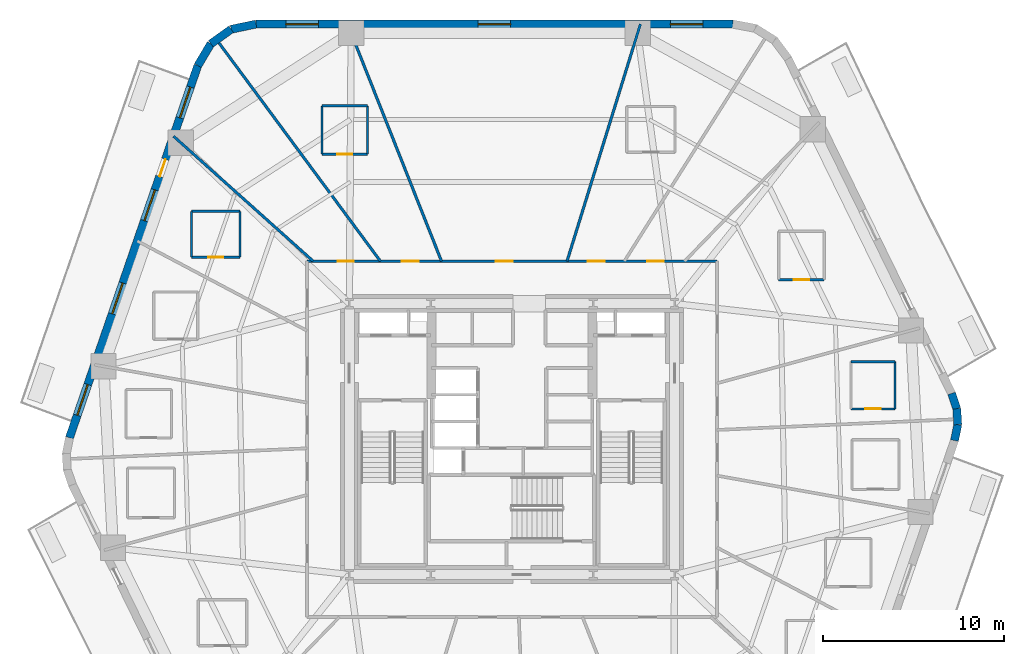
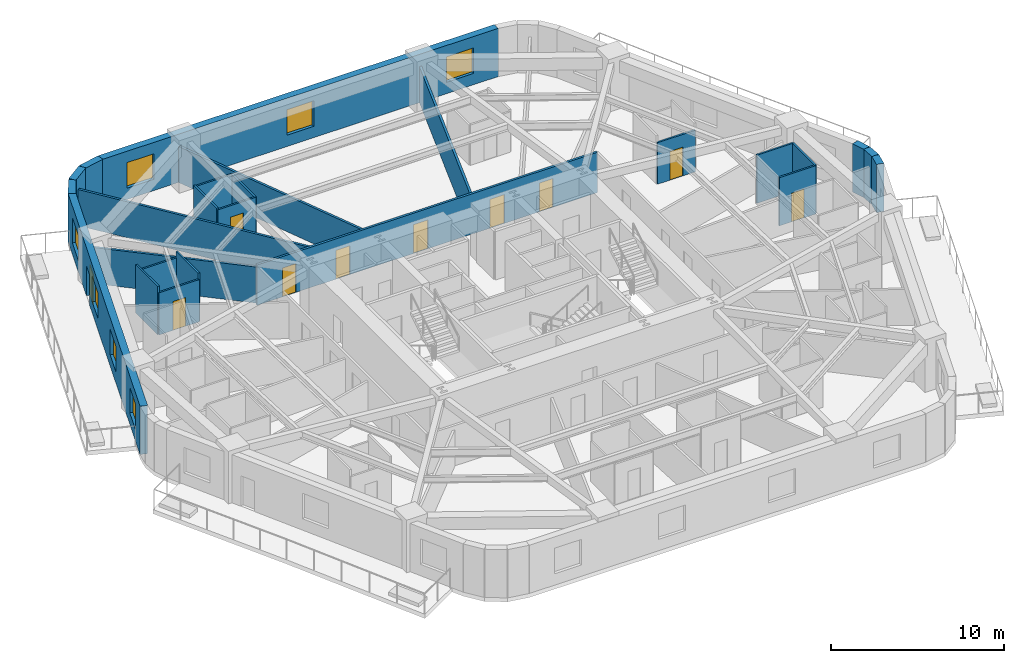
# One storey, part 6 of 10: 25 walls, 10 doors, 7 windows, 17 openings.
"""IFC4 building model written with IfcOpenShell, lengths in metres."""

from ifc_helpers import new_model, si_unit, direction, frame, frame_2d, origin, place, context, subcontext, project, spatial, rectangle, extrude, material, layer, layer_set, type_object, element, fill, save


model = new_model("IFC4")

# Units and contexts
model_context = context("Model", 3, precision=1e-05, world=origin(), true_north=direction((0.0, 1.0)))
body_context = subcontext(model_context, "Body", "Model", "MODEL_VIEW")
ifc_project = project(units=[si_unit("LENGTHUNIT", "METRE"), si_unit("AREAUNIT", "SQUARE_METRE"), si_unit("VOLUMEUNIT", "CUBIC_METRE"), si_unit("PLANEANGLEUNIT", "RADIAN"), si_unit("MASSUNIT", "GRAM", prefix="KILO")], contexts=[model_context])

# Site, building, storey
site_placement = place(None, origin())
site = spatial("IfcSite", under=ifc_project, at=site_placement, CompositionType="ELEMENT")
building_placement = place(site_placement, origin())
building = spatial("IfcBuilding", under=site, at=building_placement, Name="Kilnhurst Terrace Hotel", CompositionType="ELEMENT")
storey_placement = place(building_placement, frame((0.0, 0.0, 49.0)))
storey = spatial("IfcBuildingStorey", under=building, at=storey_placement, Name="L10", CompositionType="ELEMENT", Elevation=49.0)

# Walls
ifc_material_1 = material(Name="Precast concrete C40/50", Category="concrete")
ifc_layer_1 = layer(ifc_material_1, 0.449951171875, Name="Precast concrete C40/50")
ifc_layer_set_1 = layer_set([ifc_layer_1], Name="Precast concrete C40/50")
wall_type_1 = type_object("IfcWallType", Name="WL-BRK-450", PredefinedType="SOLIDWALL", material=ifc_layer_set_1)
wall_1_placement = place(storey_placement, frame((24.49560546875, -0.07666015625, 0.0), z_axis=(0.0, 0.0, 1.0), x_axis=(0.199570594521, 0.979883451132, 0.0)))
element("IfcWall", 1, at=wall_1_placement, inside=storey, type_object=wall_type_1, Name="L10 Rounded Corner Brick Wall C3.1", PredefinedType="SOLIDWALL", context=body_context, shape_type="SweptSolid", body=[
    extrude(rectangle(XDim=0.896728515625, YDim=0.449951171875, at=frame_2d((0.4482421875, 0.0))), origin(), (0.0, 0.0, 1.0), 3.39990234375),
])
wall_2_placement = place(storey_placement, frame((24.674560546875, 0.802001953125, 0.0), z_axis=(0.0, 0.0, 1.0), x_axis=(-0.061188874166, 0.998126205286, 0.0)))
element("IfcWall", 2, at=wall_2_placement, inside=storey, type_object=wall_type_1, Name="L10 Rounded Corner Brick Wall C3.2", PredefinedType="SOLIDWALL", context=body_context, shape_type="SweptSolid", body=[
    extrude(rectangle(XDim=0.8818359375, YDim=0.449951171875, at=frame_2d((0.44091796875, 0.0))), origin(), (0.0, 0.0, 1.0), 3.39990234375),
])
wall_3_placement = place(storey_placement, frame((24.62060546875, 1.68212890625, 0.0), z_axis=(0.0, 0.0, 1.0), x_axis=(-0.317697451681, 0.948192137278, 0.0)))
element("IfcWall", 3, at=wall_3_placement, inside=storey, type_object=wall_type_1, Name="L10 Rounded Corner Brick Wall C3.3", PredefinedType="SOLIDWALL", context=body_context, shape_type="SweptSolid", body=[
    extrude(rectangle(XDim=0.896728515625, YDim=0.449951171875, at=frame_2d((0.4482421875, 0.0))), origin(), (0.0, 0.0, 1.0), 3.39990234375),
])
wall_4_placement = place(storey_placement, frame((-14.168212890625, 22.97509765625, 0.0), z_axis=(0.0, 0.0, 1.0), x_axis=(-0.978770371074, -0.204959900243, 0.0)))
element("IfcWall", 4, at=wall_4_placement, inside=storey, type_object=wall_type_1, Name="L10 Rounded Corner Brick Wall C5.1", PredefinedType="SOLIDWALL", context=body_context, shape_type="SweptSolid", body=[
    extrude(rectangle(XDim=1.405517578125, YDim=0.449951171875, at=frame_2d((0.70263671875, 0.0))), origin(), (0.0, 0.0, 1.0), 3.39990234375),
])
wall_5_placement = place(storey_placement, frame((-15.5439453125, 22.68701171875, 0.0), z_axis=(0.0, 0.0, 1.0), x_axis=(-0.814210854316, -0.580569276412, 0.0)))
element("IfcWall", 5, at=wall_5_placement, inside=storey, type_object=wall_type_1, Name="L10 Rounded Corner Brick Wall C5.2", PredefinedType="SOLIDWALL", context=body_context, shape_type="SweptSolid", body=[
    extrude(rectangle(XDim=1.38134765625, YDim=0.449951171875, at=frame_2d((0.690673828125, 0.0))), origin(), (0.0, 0.0, 1.0), 3.39990234375),
])
wall_6_placement = place(storey_placement, frame((-16.668701171875, 21.885009765625, 0.0), z_axis=(0.0, 0.0, 1.0), x_axis=(-0.512936712947, -0.858426425799, 0.0)))
element("IfcWall", 6, at=wall_6_placement, inside=storey, type_object=wall_type_1, Name="L10 Rounded Corner Brick Wall C5.3", PredefinedType="SOLIDWALL", context=body_context, shape_type="SweptSolid", body=[
    extrude(rectangle(XDim=1.405517578125, YDim=0.449951171875, at=frame_2d((0.70263671875, 0.0))), origin(), (0.0, 0.0, 1.0), 3.39990234375),
])

# Wall, openings, windows
wall_7_placement = place(storey_placement, frame((12.220947265625, 22.97509765625, 0.0), z_axis=(0.0, 0.0, 1.0), x_axis=(-1.0, 0.0, 0.0)))
wall_7 = element("IfcWall", 7, at=wall_7_placement, inside=storey, type_object=wall_type_1, Name="L10 Exterior Brick Facade Wall F4", PredefinedType="SOLIDWALL", context=body_context, shape_type="SweptSolid", body=[
    extrude(rectangle(XDim=26.38916015625, YDim=0.449951171875, at=frame_2d((13.194580078125, 0.0))), origin(), (0.0, 0.0, 1.0), 3.39990234375),
])
opening_1_placement = place(wall_7_placement, frame((1.653076171875, 0.0, 0.800048828125)))
opening_1 = element("IfcOpeningElement", 8, at=opening_1_placement, cuts=wall_7, Name="Opening W-01", PredefinedType="OPENING", context=body_context, shape_type="SweptSolid", body=[
    extrude(rectangle(XDim=1.800048828125, YDim=1.800048828125, at=frame_2d((0.89990234375, 0.89990234375))), frame((0.0, 0.23486328125, 0.0), z_axis=(0.0, -1.0, 0.0), x_axis=(1.0, 0.0, 0.0)), (0.0, 0.0, 1.0), 0.469970703125),
])
opening_2_placement = place(wall_7_placement, frame((12.2958984375, 0.0, 0.800048828125)))
opening_2 = element("IfcOpeningElement", 9, at=opening_2_placement, cuts=wall_7, Name="Opening W-01", PredefinedType="OPENING", context=body_context, shape_type="SweptSolid", body=[
    extrude(rectangle(XDim=1.800048828125, YDim=1.800048828125, at=frame_2d((0.89990234375, 0.89990234375))), frame((0.0, 0.23486328125, 0.0), z_axis=(0.0, -1.0, 0.0), x_axis=(1.0, 0.0, 0.0)), (0.0, 0.0, 1.0), 0.469970703125),
])
opening_3_placement = place(wall_7_placement, frame((22.93798828125, 0.0, 0.800048828125)))
opening_3 = element("IfcOpeningElement", 10, at=opening_3_placement, cuts=wall_7, Name="Opening W-01", PredefinedType="OPENING", context=body_context, shape_type="SweptSolid", body=[
    extrude(rectangle(XDim=1.800048828125, YDim=1.800048828125, at=frame_2d((0.89990234375, 0.89990234375))), frame((0.0, 0.23486328125, 0.0), z_axis=(0.0, -1.0, 0.0), x_axis=(1.0, 0.0, 0.0)), (0.0, 0.0, 1.0), 0.469970703125),
])
ifc_material_2 = material(Name="Thermally Broken Bronze Aluminium Alloy 6063-T6 and Low-E Glass", Category="aluminium")
window_type = type_object("IfcWindowType", Name="WIN-1800X1800", PartitioningType="SINGLE_PANEL", PredefinedType="WINDOW", material=ifc_material_2)
window_1_placement = place(opening_1_placement, origin())
window_1 = element("IfcWindow", 11, at=window_1_placement, inside=storey, type_object=window_type, Name="L10 Deep-Set Masonry Window F4.1", OverallHeight=1.800048828125, OverallWidth=1.800048828125, PartitioningType="SINGLE_PANEL", PredefinedType="WINDOW", context=body_context, shape_type="SweptSolid", body=[
    extrude(rectangle(XDim=1.800048828125, YDim=1.800048828125, at=frame_2d((0.89990234375, 0.89990234375))), frame((0.0, 0.030029296875, 0.0), z_axis=(0.0, -1.0, 0.0), x_axis=(1.0, 0.0, 0.0)), (0.0, 0.0, 1.0), 0.06005859375),
])
fill(opening_1, window_1)
window_2_placement = place(opening_2_placement, origin())
window_2 = element("IfcWindow", 12, at=window_2_placement, inside=storey, type_object=window_type, Name="L10 Deep-Set Masonry Window F4.2", OverallHeight=1.800048828125, OverallWidth=1.800048828125, PartitioningType="SINGLE_PANEL", PredefinedType="WINDOW", context=body_context, shape_type="SweptSolid", body=[
    extrude(rectangle(XDim=1.800048828125, YDim=1.800048828125, at=frame_2d((0.89990234375, 0.89990234375))), frame((0.0, 0.030029296875, 0.0), z_axis=(0.0, -1.0, 0.0), x_axis=(1.0, 0.0, 0.0)), (0.0, 0.0, 1.0), 0.06005859375),
])
fill(opening_2, window_2)
window_3_placement = place(opening_3_placement, origin())
window_3 = element("IfcWindow", 13, at=window_3_placement, inside=storey, type_object=window_type, Name="L10 Deep-Set Masonry Window F4.3", OverallHeight=1.800048828125, OverallWidth=1.800048828125, PartitioningType="SINGLE_PANEL", PredefinedType="WINDOW", context=body_context, shape_type="SweptSolid", body=[
    extrude(rectangle(XDim=1.800048828125, YDim=1.800048828125, at=frame_2d((0.89990234375, 0.89990234375))), frame((0.0, 0.030029296875, 0.0), z_axis=(0.0, -1.0, 0.0), x_axis=(1.0, 0.0, 0.0)), (0.0, 0.0, 1.0), 0.06005859375),
])
fill(opening_3, window_3)

# Wall, openings, door, windows
wall_8_placement = place(storey_placement, frame((-17.3896484375, 20.678466796875, 0.0), z_axis=(0.0, 0.0, 1.0), x_axis=(-0.326068018294, -0.945346310854, 0.0)))
wall_8 = element("IfcWall", 14, at=wall_8_placement, inside=storey, type_object=wall_type_1, Name="L10 Exterior Brick Facade Wall F5", PredefinedType="SOLIDWALL", context=body_context, shape_type="SweptSolid", body=[
    extrude(rectangle(XDim=21.79296875, YDim=0.449951171875, at=frame_2d((10.896484375, 0.0))), origin(), (0.0, 0.0, 1.0), 3.39990234375),
])
opening_4_placement = place(wall_8_placement, frame((5.492919921875, 0.0, 0.0)))
opening_4 = element("IfcOpeningElement", 15, at=opening_4_placement, cuts=wall_8, Name="Opening BD-1000", PredefinedType="OPENING", context=body_context, shape_type="SweptSolid", body=[
    extrude(rectangle(XDim=1.0, YDim=2.14990234375, at=frame_2d((0.5, 1.074951171875))), frame((0.0, 0.23486328125, 0.0), z_axis=(0.0, -1.0, 0.0), x_axis=(1.0, 0.0, 0.0)), (0.0, 0.0, 1.0), 0.469970703125),
])
opening_5_placement = place(wall_8_placement, frame((1.260009765625, 0.0, 0.800048828125)))
opening_5 = element("IfcOpeningElement", 16, at=opening_5_placement, cuts=wall_8, Name="Opening W-01", PredefinedType="OPENING", context=body_context, shape_type="SweptSolid", body=[
    extrude(rectangle(XDim=1.800048828125, YDim=1.800048828125, at=frame_2d((0.89990234375, 0.89990234375))), frame((0.0, 0.23486328125, 0.0), z_axis=(0.0, -1.0, 0.0), x_axis=(1.0, 0.0, 0.0)), (0.0, 0.0, 1.0), 0.469970703125),
])
opening_6_placement = place(wall_8_placement, frame((7.282958984375, 0.0, 0.800048828125)))
opening_6 = element("IfcOpeningElement", 17, at=opening_6_placement, cuts=wall_8, Name="Opening W-01", PredefinedType="OPENING", context=body_context, shape_type="SweptSolid", body=[
    extrude(rectangle(XDim=1.800048828125, YDim=1.800048828125, at=frame_2d((0.89990234375, 0.89990234375))), frame((0.0, 0.23486328125, 0.0), z_axis=(0.0, -1.0, 0.0), x_axis=(1.0, 0.0, 0.0)), (0.0, 0.0, 1.0), 0.469970703125),
])
opening_7_placement = place(wall_8_placement, frame((12.736083984375, 0.0, 0.800048828125)))
opening_7 = element("IfcOpeningElement", 18, at=opening_7_placement, cuts=wall_8, Name="Opening W-01", PredefinedType="OPENING", context=body_context, shape_type="SweptSolid", body=[
    extrude(rectangle(XDim=1.800048828125, YDim=1.800048828125, at=frame_2d((0.89990234375, 0.89990234375))), frame((0.0, 0.23486328125, 0.0), z_axis=(0.0, -1.0, 0.0), x_axis=(1.0, 0.0, 0.0)), (0.0, 0.0, 1.0), 0.469970703125),
])
opening_8_placement = place(wall_8_placement, frame((18.679931640625, 0.0, 0.800048828125)))
opening_8 = element("IfcOpeningElement", 19, at=opening_8_placement, cuts=wall_8, Name="Opening W-01", PredefinedType="OPENING", context=body_context, shape_type="SweptSolid", body=[
    extrude(rectangle(XDim=1.800048828125, YDim=1.800048828125, at=frame_2d((0.89990234375, 0.89990234375))), frame((0.0, 0.23486328125, 0.0), z_axis=(0.0, -1.0, 0.0), x_axis=(1.0, 0.0, 0.0)), (0.0, 0.0, 1.0), 0.469970703125),
])
ifc_material_3 = material(Name="Thermally Broken Bronze Aluminium Alloy 6063-T6 and Laminated Glass", Category="aluminium")
door_type_1 = type_object("IfcDoorType", Name="DR-EXT-BAL-1000", OperationType="NOTDEFINED", PredefinedType="DOOR", material=ifc_material_3)
door_1_placement = place(opening_4_placement, origin())
door_1 = element("IfcDoor", 20, at=door_1_placement, inside=storey, type_object=door_type_1, Name="L10 Planted Balcony Door BAL-L2A", OperationType="SINGLE_SWING_LEFT", OverallHeight=2.14990234375, OverallWidth=1.0, PredefinedType="DOOR", context=body_context, shape_type="SweptSolid", body=[
    extrude(rectangle(XDim=1.0, YDim=2.14990234375, at=frame_2d((0.5, 1.074951171875))), frame((0.0, 0.02490234375, 0.0), z_axis=(0.0, -1.0, 0.0), x_axis=(1.0, 0.0, 0.0)), (0.0, 0.0, 1.0), 0.050048828125),
])
fill(opening_4, door_1)
window_4_placement = place(opening_5_placement, origin())
window_4 = element("IfcWindow", 21, at=window_4_placement, inside=storey, type_object=window_type, Name="L10 Deep-Set Masonry Window F5.1", OverallHeight=1.800048828125, OverallWidth=1.800048828125, PartitioningType="SINGLE_PANEL", PredefinedType="WINDOW", context=body_context, shape_type="SweptSolid", body=[
    extrude(rectangle(XDim=1.800048828125, YDim=1.800048828125, at=frame_2d((0.89990234375, 0.89990234375))), frame((0.0, 0.030029296875, 0.0), z_axis=(0.0, -1.0, 0.0), x_axis=(1.0, 0.0, 0.0)), (0.0, 0.0, 1.0), 0.06005859375),
])
fill(opening_5, window_4)
window_5_placement = place(opening_6_placement, origin())
window_5 = element("IfcWindow", 22, at=window_5_placement, inside=storey, type_object=window_type, Name="L10 Deep-Set Masonry Window F5.2", OverallHeight=1.800048828125, OverallWidth=1.800048828125, PartitioningType="SINGLE_PANEL", PredefinedType="WINDOW", context=body_context, shape_type="SweptSolid", body=[
    extrude(rectangle(XDim=1.800048828125, YDim=1.800048828125, at=frame_2d((0.89990234375, 0.89990234375))), frame((0.0, 0.030029296875, 0.0), z_axis=(0.0, -1.0, 0.0), x_axis=(1.0, 0.0, 0.0)), (0.0, 0.0, 1.0), 0.06005859375),
])
fill(opening_6, window_5)
window_6_placement = place(opening_7_placement, origin())
window_6 = element("IfcWindow", 23, at=window_6_placement, inside=storey, type_object=window_type, Name="L10 Deep-Set Masonry Window F5.3", OverallHeight=1.800048828125, OverallWidth=1.800048828125, PartitioningType="SINGLE_PANEL", PredefinedType="WINDOW", context=body_context, shape_type="SweptSolid", body=[
    extrude(rectangle(XDim=1.800048828125, YDim=1.800048828125, at=frame_2d((0.89990234375, 0.89990234375))), frame((0.0, 0.030029296875, 0.0), z_axis=(0.0, -1.0, 0.0), x_axis=(1.0, 0.0, 0.0)), (0.0, 0.0, 1.0), 0.06005859375),
])
fill(opening_7, window_6)
window_7_placement = place(opening_8_placement, origin())
window_7 = element("IfcWindow", 24, at=window_7_placement, inside=storey, type_object=window_type, Name="L10 Deep-Set Masonry Window F5.4", OverallHeight=1.800048828125, OverallWidth=1.800048828125, PartitioningType="SINGLE_PANEL", PredefinedType="WINDOW", context=body_context, shape_type="SweptSolid", body=[
    extrude(rectangle(XDim=1.800048828125, YDim=1.800048828125, at=frame_2d((0.89990234375, 0.89990234375))), frame((0.0, 0.030029296875, 0.0), z_axis=(0.0, -1.0, 0.0), x_axis=(1.0, 0.0, 0.0)), (0.0, 0.0, 1.0), 0.06005859375),
])
fill(opening_8, window_7)

# Wall, openings, doors
ifc_material_4 = material(Name="Acoustic Double-Gypsum Corridor Partition Assembly")
ifc_layer_2 = layer(ifc_material_4, 0.14990234375, Name="Acoustic Double-Gypsum Corridor Partition Assembly")
ifc_layer_set_2 = layer_set([ifc_layer_2], Name="Acoustic Double-Gypsum Corridor Partition Assembly")
wall_type_2 = type_object("IfcWallType", Name="WL-COR-150", PredefinedType="PARTITIONING", material=ifc_layer_set_2)
wall_9_placement = place(storey_placement, frame((-11.35009765625, 9.85009765625, 0.0), z_axis=(0.0, 0.0, 1.0), x_axis=(1.0, 0.0, 0.0)))
wall_9 = element("IfcWall", 25, at=wall_9_placement, inside=storey, type_object=wall_type_2, Name="L10 Interior Wall WL-L10-COR-02", PredefinedType="PARTITIONING", context=body_context, shape_type="SweptSolid", body=[
    extrude(rectangle(XDim=22.7001953125, YDim=0.14990234375, at=frame_2d((11.35009765625, 0.0))), origin(), (0.0, 0.0, 1.0), 2.840087890625),
])
opening_9_placement = place(wall_9_placement, frame((18.8369140625, 0.0, 0.0)))
opening_9 = element("IfcOpeningElement", 26, at=opening_9_placement, cuts=wall_9, Name="Opening D-60C", PredefinedType="OPENING", context=body_context, shape_type="SweptSolid", body=[
    extrude(rectangle(XDim=0.89990234375, YDim=2.030029296875, at=frame_2d((0.449951171875, 1.01513671875))), frame((0.0, 0.0849609375, 0.0), z_axis=(0.0, -1.0, 0.0), x_axis=(1.0, 0.0, 0.0)), (0.0, 0.0, 1.0), 0.169921875),
])
opening_10_placement = place(wall_9_placement, frame((15.531982421875, 0.0, 0.0)))
opening_10 = element("IfcOpeningElement", 27, at=opening_10_placement, cuts=wall_9, Name="Opening D-60B", PredefinedType="OPENING", context=body_context, shape_type="SweptSolid", body=[
    extrude(rectangle(XDim=0.949951171875, YDim=2.030029296875, at=frame_2d((0.47509765625, 1.01513671875))), frame((0.0, 0.0849609375, 0.0), z_axis=(0.0, -1.0, 0.0), x_axis=(1.0, 0.0, 0.0)), (0.0, 0.0, 1.0), 0.169921875),
])
opening_11_placement = place(wall_9_placement, frame((10.444091796875, 0.0, 0.0)))
opening_11 = element("IfcOpeningElement", 28, at=opening_11_placement, cuts=wall_9, Name="Opening D-60B", PredefinedType="OPENING", context=body_context, shape_type="SweptSolid", body=[
    extrude(rectangle(XDim=0.949951171875, YDim=2.030029296875, at=frame_2d((0.47509765625, 1.01513671875))), frame((0.0, 0.0849609375, 0.0), z_axis=(0.0, -1.0, 0.0), x_axis=(1.0, 0.0, 0.0)), (0.0, 0.0, 1.0), 0.169921875),
])
opening_12_placement = place(wall_9_placement, frame((5.251953125, 0.0, 0.0)))
opening_12 = element("IfcOpeningElement", 29, at=opening_12_placement, cuts=wall_9, Name="Opening D-60B", PredefinedType="OPENING", context=body_context, shape_type="SweptSolid", body=[
    extrude(rectangle(XDim=0.949951171875, YDim=2.030029296875, at=frame_2d((0.47509765625, 1.01513671875))), frame((0.0, 0.0849609375, 0.0), z_axis=(0.0, -1.0, 0.0), x_axis=(1.0, 0.0, 0.0)), (0.0, 0.0, 1.0), 0.169921875),
])
opening_13_placement = place(wall_9_placement, frame((1.701904296875, 0.0, 0.0)))
opening_13 = element("IfcOpeningElement", 30, at=opening_13_placement, cuts=wall_9, Name="Opening D-60C", PredefinedType="OPENING", context=body_context, shape_type="SweptSolid", body=[
    extrude(rectangle(XDim=0.89990234375, YDim=2.030029296875, at=frame_2d((0.449951171875, 1.01513671875))), frame((0.0, 0.0849609375, 0.0), z_axis=(0.0, -1.0, 0.0), x_axis=(1.0, 0.0, 0.0)), (0.0, 0.0, 1.0), 0.169921875),
])
ifc_material_5 = material(Name="Painted Solid-Core Service Fire Door")
door_type_2 = type_object("IfcDoorType", Name="DR-FD60-900", OperationType="NOTDEFINED", PredefinedType="DOOR", material=ifc_material_5)
door_2_placement = place(opening_9_placement, origin())
door_2 = element("IfcDoor", 31, at=door_2_placement, inside=storey, type_object=door_type_2, Name="L10 Executive Work Office Door 3", OperationType="SINGLE_SWING_LEFT", OverallHeight=2.030029296875, OverallWidth=0.89990234375, PredefinedType="DOOR", context=body_context, shape_type="SweptSolid", body=[
    extrude(rectangle(XDim=0.89990234375, YDim=2.030029296875, at=frame_2d((0.449951171875, 1.01513671875))), frame((0.0, 0.02490234375, 0.0), z_axis=(0.0, -1.0, 0.0), x_axis=(1.0, 0.0, 0.0)), (0.0, 0.0, 1.0), 0.050048828125),
])
fill(opening_9, door_2)
door_3_placement = place(opening_13_placement, origin())
door_3 = element("IfcDoor", 32, at=door_3_placement, inside=storey, type_object=door_type_2, Name="L10 Executive Work Office Door 7", OperationType="SINGLE_SWING_LEFT", OverallHeight=2.030029296875, OverallWidth=0.89990234375, PredefinedType="DOOR", context=body_context, shape_type="SweptSolid", body=[
    extrude(rectangle(XDim=0.89990234375, YDim=2.030029296875, at=frame_2d((0.449951171875, 1.01513671875))), frame((0.0, 0.02490234375, 0.0), z_axis=(0.0, -1.0, 0.0), x_axis=(1.0, 0.0, 0.0)), (0.0, 0.0, 1.0), 0.050048828125),
])
fill(opening_13, door_3)
ifc_material_6 = material(Name="Acoustic Walnut Veneer Solid-Core Fire Door")
door_type_3 = type_object("IfcDoorType", Name="DR-FD60-950", OperationType="NOTDEFINED", PredefinedType="DOOR", material=ifc_material_6)
door_4_placement = place(opening_10_placement, origin())
door_4 = element("IfcDoor", 33, at=door_4_placement, inside=storey, type_object=door_type_3, Name="L10 Guest Room Entry Door 4", OperationType="SINGLE_SWING_RIGHT", OverallHeight=2.030029296875, OverallWidth=0.949951171875, PredefinedType="DOOR", context=body_context, shape_type="SweptSolid", body=[
    extrude(rectangle(XDim=0.949951171875, YDim=2.030029296875, at=frame_2d((0.47509765625, 1.01513671875))), frame((0.0, 0.02490234375, 0.0), z_axis=(0.0, -1.0, 0.0), x_axis=(1.0, 0.0, 0.0)), (0.0, 0.0, 1.0), 0.050048828125),
])
fill(opening_10, door_4)
door_5_placement = place(opening_11_placement, origin())
door_5 = element("IfcDoor", 34, at=door_5_placement, inside=storey, type_object=door_type_3, Name="L10 Executive Boardroom Door", OperationType="SINGLE_SWING_LEFT", OverallHeight=2.030029296875, OverallWidth=0.949951171875, PredefinedType="DOOR", context=body_context, shape_type="SweptSolid", body=[
    extrude(rectangle(XDim=0.949951171875, YDim=2.030029296875, at=frame_2d((0.47509765625, 1.01513671875))), frame((0.0, 0.02490234375, 0.0), z_axis=(0.0, -1.0, 0.0), x_axis=(1.0, 0.0, 0.0)), (0.0, 0.0, 1.0), 0.050048828125),
])
fill(opening_11, door_5)
door_6_placement = place(opening_12_placement, origin())
door_6 = element("IfcDoor", 35, at=door_6_placement, inside=storey, type_object=door_type_3, Name="L10 Guest Room Entry Door 6", OperationType="SINGLE_SWING_RIGHT", OverallHeight=2.030029296875, OverallWidth=0.949951171875, PredefinedType="DOOR", context=body_context, shape_type="SweptSolid", body=[
    extrude(rectangle(XDim=0.949951171875, YDim=2.030029296875, at=frame_2d((0.47509765625, 1.01513671875))), frame((0.0, 0.02490234375, 0.0), z_axis=(0.0, -1.0, 0.0), x_axis=(1.0, 0.0, 0.0)), (0.0, 0.0, 1.0), 0.050048828125),
])
fill(opening_12, door_6)

# Walls
ifc_material_7 = material(Name="STC-58 Acoustic Twin-Frame Guestroom Demising Partition")
ifc_layer_3 = layer(ifc_material_7, 0.14990234375, Name="STC-58 Acoustic Twin-Frame Guestroom Demising Partition")
ifc_layer_set_3 = layer_set([ifc_layer_3], Name="STC-58 Acoustic Twin-Frame Guestroom Demising Partition")
wall_type_3 = type_object("IfcWallType", Name="WL-DEM-150", PredefinedType="PARTITIONING", material=ifc_layer_set_3)
wall_10_placement = place(storey_placement, frame((3.047607421875, 9.85009765625, 0.0), z_axis=(0.0, 0.0, 1.0), x_axis=(0.295553992761, 0.955326037206, 0.0)))
element("IfcWall", 36, at=wall_10_placement, inside=storey, type_object=wall_type_3, Name="L10 Interior Wall WL-L10-DEM-COL03-05-1", PredefinedType="PARTITIONING", context=body_context, shape_type="SweptSolid", body=[
    extrude(rectangle(XDim=13.73876953125, YDim=0.14990234375, at=frame_2d((6.869384765625, 0.0))), origin(), (0.0, 0.0, 1.0), 2.5400390625),
])
wall_11_placement = place(storey_placement, frame((-3.90185546875, 9.85009765625, 0.0), z_axis=(0.0, 0.0, 1.0), x_axis=(-0.36828765711, 0.929711891728, 0.0)))
element("IfcWall", 37, at=wall_11_placement, inside=storey, type_object=wall_type_3, Name="L10 Interior Wall WL-L10-DEM-COL04-06-1", PredefinedType="PARTITIONING", context=body_context, shape_type="SweptSolid", body=[
    extrude(rectangle(XDim=14.1171875, YDim=0.14990234375, at=frame_2d((7.05859375, 0.0))), origin(), (0.0, 0.0, 1.0), 2.5400390625),
])
wall_12_placement = place(storey_placement, frame((-7.284912109375, 9.85009765625, 0.0), z_axis=(0.0, 0.0, 1.0), x_axis=(-0.594630332275, 0.803999233792, 0.0)))
element("IfcWall", 38, at=wall_12_placement, inside=storey, type_object=wall_type_3, Name="L10 Interior Wall WL-L10-DEM-MID04-07-1", PredefinedType="PARTITIONING", context=body_context, shape_type="SweptSolid", body=[
    extrude(rectangle(XDim=15.089111328125, YDim=0.14990234375, at=frame_2d((7.54443359375, 0.0))), origin(), (0.0, 0.0, 1.0), 2.5400390625),
])
wall_13_placement = place(storey_placement, frame((-11.006591796875, 9.85009765625, 0.0), z_axis=(0.0, 0.0, 1.0), x_axis=(-0.745177305978, 0.666866390407, 0.0)))
element("IfcWall", 39, at=wall_13_placement, inside=storey, type_object=wall_type_3, Name="L10 Interior Wall WL-L10-DEM-COL05-08-1", PredefinedType="PARTITIONING", context=body_context, shape_type="SweptSolid", body=[
    extrude(rectangle(XDim=10.375244140625, YDim=0.14990234375, at=frame_2d((5.1875, 0.0))), origin(), (0.0, 0.0, 1.0), 2.5400390625),
])

# Wall, opening, door
ifc_material_8 = material(Name="120 mm Moisture-Resistant Tile-Backed Bathroom Partition")
ifc_layer_4 = layer(ifc_material_8, 0.1201171875, Name="120 mm Moisture-Resistant Tile-Backed Bathroom Partition")
ifc_layer_set_4 = layer_set([ifc_layer_4], Name="120 mm Moisture-Resistant Tile-Backed Bathroom Partition")
wall_type_4 = type_object("IfcWallType", Name="WL-PART-120", PredefinedType="PARTITIONING", material=ifc_layer_set_4)
wall_14_placement = place(storey_placement, frame((18.760009765625, 1.676025390625, 0.0), z_axis=(0.0, 0.0, 1.0), x_axis=(1.0, 0.0, 0.0)))
wall_14 = element("IfcWall", 40, at=wall_14_placement, inside=storey, type_object=wall_type_4, Name="L10 Interior Wall WL-L10-BTH-01-1", PredefinedType="PARTITIONING", context=body_context, shape_type="SweptSolid", body=[
    extrude(rectangle(XDim=2.43994140625, YDim=0.1201171875, at=frame_2d((1.219970703125, 0.0))), origin(), (0.0, 0.0, 1.0), 3.39990234375),
])
opening_14_placement = place(wall_14_placement, frame((0.794921875, 0.0, 0.0)))
opening_14 = element("IfcOpeningElement", 41, at=opening_14_placement, cuts=wall_14, Name="Opening D-08A", PredefinedType="OPENING", context=body_context, shape_type="SweptSolid", body=[
    extrude(rectangle(XDim=0.85009765625, YDim=2.030029296875, at=frame_2d((0.425048828125, 1.01513671875))), frame((0.0, 0.070068359375, 0.0), z_axis=(0.0, -1.0, 0.0), x_axis=(1.0, 0.0, 0.0)), (0.0, 0.0, 1.0), 0.14013671875),
])
ifc_material_9 = material(Name="Moisture-Resistant Lacquered En-suite Bathroom Door")
door_type_4 = type_object("IfcDoorType", Name="DR-INT-850", OperationType="NOTDEFINED", PredefinedType="DOOR", material=ifc_material_9)
door_7_placement = place(opening_14_placement, origin())
door_7 = element("IfcDoor", 42, at=door_7_placement, inside=storey, type_object=door_type_4, Name="L10 En-suite Bathroom Door 1", OperationType="SINGLE_SWING_RIGHT", OverallHeight=2.030029296875, OverallWidth=0.85009765625, PredefinedType="DOOR", context=body_context, shape_type="SweptSolid", body=[
    extrude(rectangle(XDim=0.85009765625, YDim=2.030029296875, at=frame_2d((0.425048828125, 1.01513671875))), frame((0.0, 0.02490234375, 0.0), z_axis=(0.0, -1.0, 0.0), x_axis=(1.0, 0.0, 0.0)), (0.0, 0.0, 1.0), 0.050048828125),
])
fill(opening_14, door_7)

# Walls
wall_15_placement = place(storey_placement, frame((21.199951171875, 1.676025390625, 0.0), z_axis=(0.0, 0.0, 1.0), x_axis=(0.0, 1.0, 0.0)))
element("IfcWall", 43, at=wall_15_placement, inside=storey, type_object=wall_type_4, Name="L10 Interior Wall WL-L10-BTH-01-2", PredefinedType="PARTITIONING", context=body_context, shape_type="SweptSolid", body=[
    extrude(rectangle(XDim=2.60986328125, YDim=0.1201171875, at=frame_2d((1.304931640625, 0.0))), origin(), (0.0, 0.0, 1.0), 3.39990234375),
])
wall_16_placement = place(storey_placement, frame((21.199951171875, 4.285888671875, 0.0), z_axis=(0.0, 0.0, 1.0), x_axis=(-1.0, 0.0, 0.0)))
element("IfcWall", 44, at=wall_16_placement, inside=storey, type_object=wall_type_4, Name="L10 Interior Wall WL-L10-BTH-01-3", PredefinedType="PARTITIONING", context=body_context, shape_type="SweptSolid", body=[
    extrude(rectangle(XDim=2.43994140625, YDim=0.1201171875, at=frame_2d((1.219970703125, 0.0))), origin(), (0.0, 0.0, 1.0), 3.39990234375),
])

# Wall, opening, door
wall_17_placement = place(storey_placement, frame((14.763916015625, 8.824951171875, 0.0), z_axis=(0.0, 0.0, 1.0), x_axis=(1.0, 0.0, 0.0)))
wall_17 = element("IfcWall", 45, at=wall_17_placement, inside=storey, type_object=wall_type_4, Name="L10 Interior Wall WL-L10-BTH-02-1", PredefinedType="PARTITIONING", context=body_context, shape_type="SweptSolid", body=[
    extrude(rectangle(XDim=2.52001953125, YDim=0.1201171875, at=frame_2d((1.260009765625, 0.0))), origin(), (0.0, 0.0, 1.0), 2.926513671875),
])
opening_15_placement = place(wall_17_placement, frame((0.8349609375, 0.0, 0.0)))
opening_15 = element("IfcOpeningElement", 46, at=opening_15_placement, cuts=wall_17, Name="Opening D-08A", PredefinedType="OPENING", context=body_context, shape_type="SweptSolid", body=[
    extrude(rectangle(XDim=0.85009765625, YDim=2.030029296875, at=frame_2d((0.425048828125, 1.01513671875))), frame((0.0, 0.070068359375, 0.0), z_axis=(0.0, -1.0, 0.0), x_axis=(1.0, 0.0, 0.0)), (0.0, 0.0, 1.0), 0.14013671875),
])
door_8_placement = place(opening_15_placement, origin())
door_8 = element("IfcDoor", 47, at=door_8_placement, inside=storey, type_object=door_type_4, Name="L10 En-suite Bathroom Door 2", OperationType="SINGLE_SWING_LEFT", OverallHeight=2.030029296875, OverallWidth=0.85009765625, PredefinedType="DOOR", context=body_context, shape_type="SweptSolid", body=[
    extrude(rectangle(XDim=0.85009765625, YDim=2.030029296875, at=frame_2d((0.425048828125, 1.01513671875))), frame((0.0, 0.02490234375, 0.0), z_axis=(0.0, -1.0, 0.0), x_axis=(1.0, 0.0, 0.0)), (0.0, 0.0, 1.0), 0.050048828125),
])
fill(opening_15, door_8)

wall_18_placement = place(storey_placement, frame((-10.51904296875, 15.77001953125, 0.0), z_axis=(0.0, 0.0, 1.0), x_axis=(1.0, 0.0, 0.0)))
wall_18 = element("IfcWall", 48, at=wall_18_placement, inside=storey, type_object=wall_type_4, Name="L10 Interior Wall WL-L10-BTH-06-1", PredefinedType="PARTITIONING", context=body_context, shape_type="SweptSolid", body=[
    extrude(rectangle(XDim=2.52001953125, YDim=0.1201171875, at=frame_2d((1.260009765625, 0.0))), origin(), (0.0, 0.0, 1.0), 2.840087890625),
])
opening_16_placement = place(wall_18_placement, frame((0.8349609375, 0.0, 0.0)))
opening_16 = element("IfcOpeningElement", 49, at=opening_16_placement, cuts=wall_18, Name="Opening D-08A", PredefinedType="OPENING", context=body_context, shape_type="SweptSolid", body=[
    extrude(rectangle(XDim=0.85009765625, YDim=2.030029296875, at=frame_2d((0.425048828125, 1.01513671875))), frame((0.0, 0.070068359375, 0.0), z_axis=(0.0, -1.0, 0.0), x_axis=(1.0, 0.0, 0.0)), (0.0, 0.0, 1.0), 0.14013671875),
])
door_9_placement = place(opening_16_placement, origin())
door_9 = element("IfcDoor", 50, at=door_9_placement, inside=storey, type_object=door_type_4, Name="L10 En-suite Bathroom Door 6", OperationType="SINGLE_SWING_LEFT", OverallHeight=2.030029296875, OverallWidth=0.85009765625, PredefinedType="DOOR", context=body_context, shape_type="SweptSolid", body=[
    extrude(rectangle(XDim=0.85009765625, YDim=2.030029296875, at=frame_2d((0.425048828125, 1.01513671875))), frame((0.0, 0.02490234375, 0.0), z_axis=(0.0, -1.0, 0.0), x_axis=(1.0, 0.0, 0.0)), (0.0, 0.0, 1.0), 0.050048828125),
])
fill(opening_16, door_9)

# Walls
wall_19_placement = place(storey_placement, frame((-7.9990234375, 15.77001953125, 0.0), z_axis=(0.0, 0.0, 1.0), x_axis=(0.0, 1.0, 0.0)))
element("IfcWall", 51, at=wall_19_placement, inside=storey, type_object=wall_type_4, Name="L10 Interior Wall WL-L10-BTH-06-2", PredefinedType="PARTITIONING", context=body_context, shape_type="SweptSolid", body=[
    extrude(rectangle(XDim=2.679931640625, YDim=0.1201171875, at=frame_2d((1.33984375, 0.0))), origin(), (0.0, 0.0, 1.0), 2.840576171875),
])
wall_20_placement = place(storey_placement, frame((-7.9990234375, 18.449951171875, 0.0), z_axis=(0.0, 0.0, 1.0), x_axis=(-1.0, 0.0, 0.0)))
element("IfcWall", 52, at=wall_20_placement, inside=storey, type_object=wall_type_4, Name="L10 Interior Wall WL-L10-BTH-06-3", PredefinedType="PARTITIONING", context=body_context, shape_type="SweptSolid", body=[
    extrude(rectangle(XDim=2.52001953125, YDim=0.1201171875, at=frame_2d((1.260009765625, 0.0))), origin(), (0.0, 0.0, 1.0), 2.840087890625),
])
wall_21_placement = place(storey_placement, frame((-10.51904296875, 18.449951171875, 0.0), z_axis=(0.0, 0.0, 1.0), x_axis=(0.0, -1.0, 0.0)))
element("IfcWall", 53, at=wall_21_placement, inside=storey, type_object=wall_type_4, Name="L10 Interior Wall WL-L10-BTH-06-4", PredefinedType="PARTITIONING", context=body_context, shape_type="SweptSolid", body=[
    extrude(rectangle(XDim=2.679931640625, YDim=0.1201171875, at=frame_2d((1.33984375, 0.0))), origin(), (0.0, 0.0, 1.0), 2.926513671875),
])

# Wall, opening, door
wall_22_placement = place(storey_placement, frame((-17.738037109375, 10.072021484375, 0.0), z_axis=(0.0, 0.0, 1.0), x_axis=(1.0, 0.0, 0.0)))
wall_22 = element("IfcWall", 54, at=wall_22_placement, inside=storey, type_object=wall_type_4, Name="L10 Interior Wall WL-L10-BTH-08-1", PredefinedType="PARTITIONING", context=body_context, shape_type="SweptSolid", body=[
    extrude(rectangle(XDim=2.679931640625, YDim=0.1201171875, at=frame_2d((1.33984375, 0.0))), origin(), (0.0, 0.0, 1.0), 2.972412109375),
])
opening_17_placement = place(wall_22_placement, frame((0.9150390625, 0.0, 0.0)))
opening_17 = element("IfcOpeningElement", 55, at=opening_17_placement, cuts=wall_22, Name="Opening D-08A", PredefinedType="OPENING", context=body_context, shape_type="SweptSolid", body=[
    extrude(rectangle(XDim=0.85009765625, YDim=2.030029296875, at=frame_2d((0.425048828125, 1.01513671875))), frame((0.0, 0.070068359375, 0.0), z_axis=(0.0, -1.0, 0.0), x_axis=(1.0, 0.0, 0.0)), (0.0, 0.0, 1.0), 0.14013671875),
])
door_10_placement = place(opening_17_placement, origin())
door_10 = element("IfcDoor", 56, at=door_10_placement, inside=storey, type_object=door_type_4, Name="L10 En-suite Bathroom Door 8", OperationType="SINGLE_SWING_LEFT", OverallHeight=2.030029296875, OverallWidth=0.85009765625, PredefinedType="DOOR", context=body_context, shape_type="SweptSolid", body=[
    extrude(rectangle(XDim=0.85009765625, YDim=2.030029296875, at=frame_2d((0.425048828125, 1.01513671875))), frame((0.0, 0.02490234375, 0.0), z_axis=(0.0, -1.0, 0.0), x_axis=(1.0, 0.0, 0.0)), (0.0, 0.0, 1.0), 0.050048828125),
])
fill(opening_17, door_10)

# Walls
wall_23_placement = place(storey_placement, frame((-15.05810546875, 10.072021484375, 0.0), z_axis=(0.0, 0.0, 1.0), x_axis=(0.0, 1.0, 0.0)))
element("IfcWall", 57, at=wall_23_placement, inside=storey, type_object=wall_type_4, Name="L10 Interior Wall WL-L10-BTH-08-2", PredefinedType="PARTITIONING", context=body_context, shape_type="SweptSolid", body=[
    extrude(rectangle(XDim=2.5400390625, YDim=0.1201171875, at=frame_2d((1.27001953125, 0.0))), origin(), (0.0, 0.0, 1.0), 3.39990234375),
])
wall_24_placement = place(storey_placement, frame((-15.05810546875, 12.612060546875, 0.0), z_axis=(0.0, 0.0, 1.0), x_axis=(-1.0, 0.0, 0.0)))
element("IfcWall", 58, at=wall_24_placement, inside=storey, type_object=wall_type_4, Name="L10 Interior Wall WL-L10-BTH-08-3", PredefinedType="PARTITIONING", context=body_context, shape_type="SweptSolid", body=[
    extrude(rectangle(XDim=2.679931640625, YDim=0.1201171875, at=frame_2d((1.33984375, 0.0))), origin(), (0.0, 0.0, 1.0), 2.972412109375),
])
wall_25_placement = place(storey_placement, frame((-17.738037109375, 12.612060546875, 0.0), z_axis=(0.0, 0.0, 1.0), x_axis=(0.0, -1.0, 0.0)))
element("IfcWall", 59, at=wall_25_placement, inside=storey, type_object=wall_type_4, Name="L10 Interior Wall WL-L10-BTH-08-4", PredefinedType="PARTITIONING", context=body_context, shape_type="SweptSolid", body=[
    extrude(rectangle(XDim=2.5400390625, YDim=0.1201171875, at=frame_2d((1.27001953125, 0.0))), origin(), (0.0, 0.0, 1.0), 3.39990234375),
])

save(model, "model.ifc")
